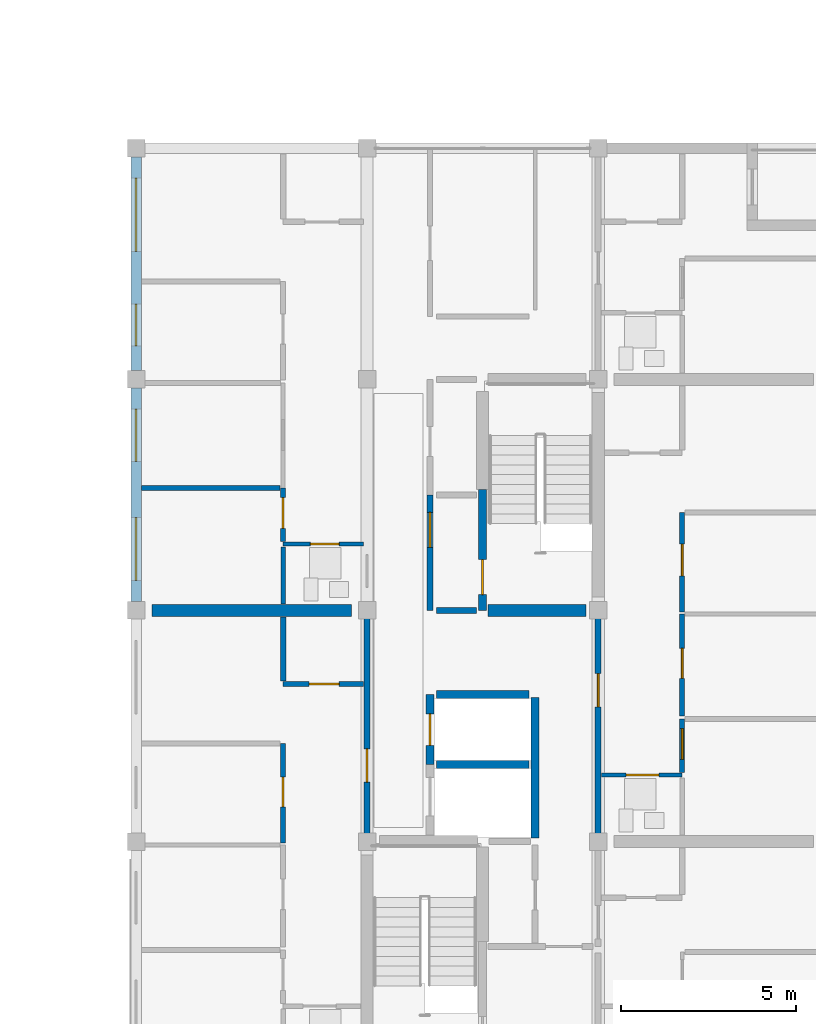
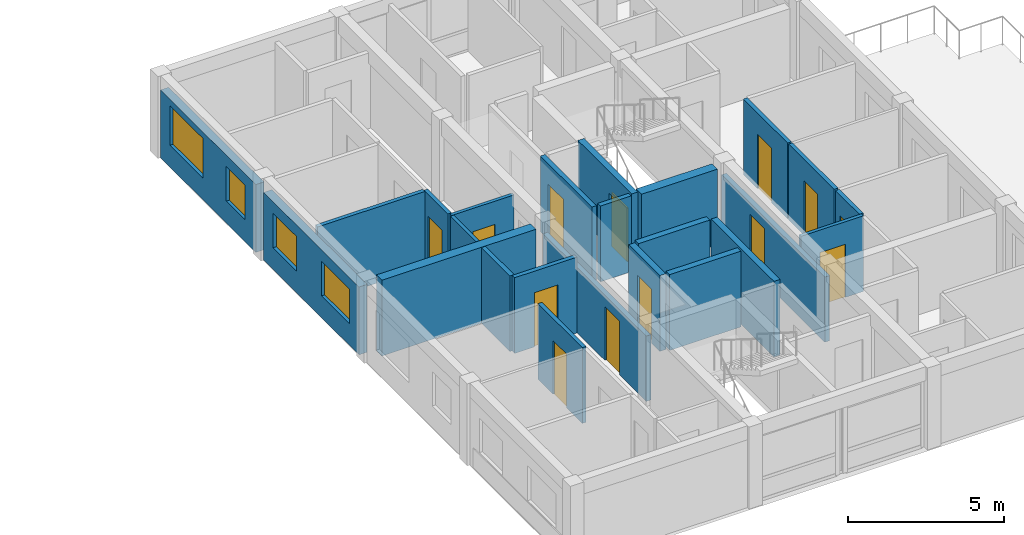
# One storey, part 31 of 51: 24 walls, 13 doors, 4 windows, 17 openings.
"""IFC4 building model written with IfcOpenShell, lengths in metres."""

from ifc_helpers import new_model, si_unit, direction, frame, frame_2d, origin, place, context, subcontext, project, spatial, rectangle, extrude, material, layer, layer_set, type_object, element, fill, save


model = new_model("IFC4")

# Units and contexts
model_context = context("Model", 3, precision=1e-05, world=origin(), true_north=direction((0.0, 1.0)))
body_context = subcontext(model_context, "Body", "Model", "MODEL_VIEW")
ifc_project = project(units=[si_unit("LENGTHUNIT", "METRE"), si_unit("AREAUNIT", "SQUARE_METRE"), si_unit("VOLUMEUNIT", "CUBIC_METRE"), si_unit("PLANEANGLEUNIT", "RADIAN"), si_unit("MASSUNIT", "GRAM", prefix="KILO")], contexts=[model_context])

# Site, building, storey
site_placement = place(None, origin())
site = spatial("IfcSite", under=ifc_project, at=site_placement, CompositionType="ELEMENT")
building_placement = place(site_placement, origin())
building = spatial("IfcBuilding", under=site, at=building_placement, Name="Kernevlak Ridge Housing Community", CompositionType="ELEMENT")
storey_placement = place(building_placement, frame((0.0, 0.0, 8.39990234375)))
storey = spatial("IfcBuildingStorey", under=building, at=storey_placement, Name="L02", CompositionType="ELEMENT", Elevation=8.39990234375)

# Wall, openings, windows
ifc_material_1 = material(Name="Concrete block masonry M10", Category="masonry")
ifc_layer_1 = layer(ifc_material_1, 0.300048828125, Name="Concrete block masonry M10")
ifc_layer_set_1 = layer_set([ifc_layer_1], Name="Concrete block masonry M10")
wall_type_1 = type_object("IfcWallType", Name="EW-01", PredefinedType="STANDARD", material=ifc_layer_set_1)
wall_1_placement = place(storey_placement, frame((126.0, 29.050048828125, 0.0), z_axis=(0.0, 0.0, 1.0), x_axis=(0.0, 1.0, 0.0)))
wall_1 = element("IfcWall", 1, at=wall_1_placement, inside=storey, type_object=wall_type_1, Name="Exterior wall EW-01 L02 560", PredefinedType="STANDARD", context=body_context, shape_type="SweptSolid", body=[
    extrude(rectangle(XDim=6.099853515625, YDim=0.300048828125, at=frame_2d((3.0498046875, 0.0))), origin(), (0.0, 0.0, 1.0), 2.650146484375),
])
opening_1_placement = place(wall_1_placement, frame((0.60009765625, 0.0, 0.85009765625)))
opening_1 = element("IfcOpeningElement", 2, at=opening_1_placement, cuts=wall_1, Name="Opening WT-03", PredefinedType="OPENING", context=body_context, shape_type="SweptSolid", body=[
    extrude(rectangle(XDim=1.800048828125, YDim=1.35009765625, at=frame_2d((0.89990234375, 0.675048828125))), frame((0.0, 0.159912109375, 0.0), z_axis=(0.0, -1.0, 0.0), x_axis=(1.0, 0.0, 0.0)), (0.0, 0.0, 1.0), 0.320068359375),
])
opening_2_placement = place(wall_1_placement, frame((4.0, 0.0, 0.85009765625)))
opening_2 = element("IfcOpeningElement", 3, at=opening_2_placement, cuts=wall_1, Name="Opening WT-02", PredefinedType="OPENING", context=body_context, shape_type="SweptSolid", body=[
    extrude(rectangle(XDim=1.5, YDim=1.35009765625, at=frame_2d((0.75, 0.675048828125))), frame((0.0, 0.159912109375, 0.0), z_axis=(0.0, -1.0, 0.0), x_axis=(1.0, 0.0, 0.0)), (0.0, 0.0, 1.0), 0.320068359375),
])
ifc_material_2 = material(Name="Aluminium EN AW-6060 anodised and laminated glass", Category="aluminium")
window_type_1 = type_object("IfcWindowType", Name="WT-02", PartitioningType="SINGLE_PANEL", PredefinedType="WINDOW", material=ifc_material_2)
window_1_placement = place(opening_2_placement, origin())
window_1 = element("IfcWindow", 4, at=window_1_placement, inside=storey, type_object=window_type_1, Name="Window WT-02 L02 448", OverallHeight=1.35009765625, OverallWidth=1.5, PartitioningType="SINGLE_PANEL", PredefinedType="WINDOW", context=body_context, shape_type="SweptSolid", body=[
    extrude(rectangle(XDim=1.5, YDim=1.35009765625, at=frame_2d((0.75, 0.675048828125))), frame((0.0, 0.030029296875, 0.0), z_axis=(0.0, -1.0, 0.0), x_axis=(1.0, 0.0, 0.0)), (0.0, 0.0, 1.0), 0.06005859375),
])
fill(opening_2, window_1)
window_type_2 = type_object("IfcWindowType", Name="WT-03", PartitioningType="SINGLE_PANEL", PredefinedType="WINDOW", material=ifc_material_2)
window_2_placement = place(opening_1_placement, origin())
window_2 = element("IfcWindow", 5, at=window_2_placement, inside=storey, type_object=window_type_2, Name="Window WT-03 L02 447", OverallHeight=1.35009765625, OverallWidth=1.800048828125, PartitioningType="SINGLE_PANEL", PredefinedType="WINDOW", context=body_context, shape_type="SweptSolid", body=[
    extrude(rectangle(XDim=1.800048828125, YDim=1.35009765625, at=frame_2d((0.89990234375, 0.675048828125))), frame((0.0, 0.030029296875, 0.0), z_axis=(0.0, -1.0, 0.0), x_axis=(1.0, 0.0, 0.0)), (0.0, 0.0, 1.0), 0.06005859375),
])
fill(opening_1, window_2)

wall_2_placement = place(storey_placement, frame((126.0, 35.64990234375, 0.0), z_axis=(0.0, 0.0, 1.0), x_axis=(0.0, 1.0, 0.0)))
wall_2 = element("IfcWall", 6, at=wall_2_placement, inside=storey, type_object=wall_type_1, Name="Exterior wall EW-01 L02 561", PredefinedType="STANDARD", context=body_context, shape_type="SweptSolid", body=[
    extrude(rectangle(XDim=6.10009765625, YDim=0.300048828125, at=frame_2d((3.050048828125, 0.0))), origin(), (0.0, 0.0, 1.0), 2.650146484375),
])
opening_3_placement = place(wall_2_placement, frame((0.699951171875, 0.0, 0.85009765625)))
opening_3 = element("IfcOpeningElement", 7, at=opening_3_placement, cuts=wall_2, Name="Opening WT-01", PredefinedType="OPENING", context=body_context, shape_type="SweptSolid", body=[
    extrude(rectangle(XDim=1.199951171875, YDim=1.35009765625, at=frame_2d((0.60009765625, 0.675048828125))), frame((0.0, 0.159912109375, 0.0), z_axis=(0.0, -1.0, 0.0), x_axis=(1.0, 0.0, 0.0)), (0.0, 0.0, 1.0), 0.320068359375),
])
opening_4_placement = place(wall_2_placement, frame((3.39990234375, 0.0, 0.85009765625)))
opening_4 = element("IfcOpeningElement", 8, at=opening_4_placement, cuts=wall_2, Name="Opening WT-05", PredefinedType="OPENING", context=body_context, shape_type="SweptSolid", body=[
    extrude(rectangle(XDim=2.10009765625, YDim=1.550048828125, at=frame_2d((1.050048828125, 0.77490234375))), frame((0.0, 0.159912109375, 0.0), z_axis=(0.0, -1.0, 0.0), x_axis=(1.0, 0.0, 0.0)), (0.0, 0.0, 1.0), 0.320068359375),
])
window_type_3 = type_object("IfcWindowType", Name="WT-01", PartitioningType="SINGLE_PANEL", PredefinedType="WINDOW", material=ifc_material_2)
window_3_placement = place(opening_3_placement, origin())
window_3 = element("IfcWindow", 9, at=window_3_placement, inside=storey, type_object=window_type_3, Name="Window WT-01 L02 449", OverallHeight=1.35009765625, OverallWidth=1.199951171875, PartitioningType="SINGLE_PANEL", PredefinedType="WINDOW", context=body_context, shape_type="SweptSolid", body=[
    extrude(rectangle(XDim=1.199951171875, YDim=1.35009765625, at=frame_2d((0.60009765625, 0.675048828125))), frame((0.0, 0.030029296875, 0.0), z_axis=(0.0, -1.0, 0.0), x_axis=(1.0, 0.0, 0.0)), (0.0, 0.0, 1.0), 0.06005859375),
])
fill(opening_3, window_3)
window_type_4 = type_object("IfcWindowType", Name="WT-05", PartitioningType="SINGLE_PANEL", PredefinedType="WINDOW", material=ifc_material_2)
window_4_placement = place(opening_4_placement, origin())
window_4 = element("IfcWindow", 10, at=window_4_placement, inside=storey, type_object=window_type_4, Name="Window WT-05 L02 450", OverallHeight=1.550048828125, OverallWidth=2.10009765625, PartitioningType="SINGLE_PANEL", PredefinedType="WINDOW", context=body_context, shape_type="SweptSolid", body=[
    extrude(rectangle(XDim=2.10009765625, YDim=1.550048828125, at=frame_2d((1.050048828125, 0.77490234375))), frame((0.0, 0.030029296875, 0.0), z_axis=(0.0, -1.0, 0.0), x_axis=(1.0, 0.0, 0.0)), (0.0, 0.0, 1.0), 0.06005859375),
])
fill(opening_4, window_4)

# Wall, opening, door
ifc_material_3 = material(Name="Concrete C35/45", Category="concrete")
ifc_layer_2 = layer(ifc_material_3, 0.22509765625, Name="Concrete C35/45")
ifc_layer_set_2 = layer_set([ifc_layer_2], Name="Concrete C35/45")
wall_type_2 = type_object("IfcWallType", Name="PW-01", PredefinedType="STANDARD", material=ifc_layer_set_2)
wall_3_placement = place(storey_placement, frame((134.39990234375, 24.39990234375, 0.0), z_axis=(0.0, 0.0, 1.0), x_axis=(0.0, 1.0, 0.0)))
wall_3 = element("IfcWall", 11, at=wall_3_placement, inside=storey, type_object=wall_type_2, Name="Interior wall PW-01 WAL-INT-L02-2234", PredefinedType="STANDARD", context=body_context, shape_type="SweptSolid", body=[
    extrude(rectangle(XDim=2.0, YDim=0.22509765625, at=frame_2d((1.0, 0.0))), origin(), (0.0, 0.0, 1.0), 2.960205078125),
])
opening_5_placement = place(wall_3_placement, frame((0.550048828125, 0.0, 0.0)))
opening_5 = element("IfcOpeningElement", 12, at=opening_5_placement, cuts=wall_3, Name="Opening LD60", PredefinedType="OPENING", context=body_context, shape_type="SweptSolid", body=[
    extrude(rectangle(XDim=0.89990234375, YDim=2.10009765625, at=frame_2d((0.449951171875, 1.050048828125))), frame((0.0, 0.12255859375, 0.0), z_axis=(0.0, -1.0, 0.0), x_axis=(1.0, 0.0, 0.0)), (0.0, 0.0, 1.0), 0.2451171875),
])
ifc_material_4 = material(Name="Stainless steel EN 1.4401", Category="steel")
door_type_1 = type_object("IfcDoorType", Name="DT-LD2", OperationType="DOUBLE_DOOR_SLIDING", PredefinedType="DOOR", material=ifc_material_4)
door_1_placement = place(opening_5_placement, origin())
door_1 = element("IfcDoor", 13, at=door_1_placement, inside=storey, type_object=door_type_1, Name="Lift LF-C2 landing door LD60", OperationType="DOUBLE_DOOR_SLIDING", OverallHeight=2.10009765625, OverallWidth=0.89990234375, PredefinedType="DOOR", context=body_context, shape_type="SweptSolid", body=[
    extrude(rectangle(XDim=0.89990234375, YDim=2.10009765625, at=frame_2d((0.449951171875, 1.050048828125))), frame((0.0, 0.02490234375, 0.0), z_axis=(0.0, -1.0, 0.0), x_axis=(1.0, 0.0, 0.0)), (0.0, 0.0, 1.0), 0.050048828125),
])
fill(opening_5, door_1)

# Walls
wall_4_placement = place(storey_placement, frame((137.39990234375, 22.297607421875, 0.0), z_axis=(0.0, 0.0, 1.0), x_axis=(0.0, 1.0, 0.0)))
element("IfcWall", 14, at=wall_4_placement, inside=storey, type_object=wall_type_2, Name="Interior wall PW-01 WAL-INT-L02-2235", PredefinedType="STANDARD", context=body_context, shape_type="SweptSolid", body=[
    extrude(rectangle(XDim=4.0224609375, YDim=0.22509765625, at=frame_2d((2.01123046875, 0.0))), origin(), (0.0, 0.0, 1.0), 2.960205078125),
])
for number, where, z_axis, x_axis, name in (
    (15, (134.580078125, 24.39990234375, 0.0), (0.0, 0.0, 1.0), (1.0, 0.0, 0.0), "Interior wall PW-01 WAL-INT-L02-2237"),
    (16, (134.580078125, 26.39990234375, 0.0), (0.0, 0.0, 1.0), (1.0, 0.0, 0.0), "Interior wall PW-01 WAL-INT-L02-2238"),
):
    element("IfcWall", number, at=place(storey_placement, frame(where, z_axis=z_axis, x_axis=x_axis)), inside=storey, type_object=wall_type_2, Name=name, PredefinedType="STANDARD", context=body_context, shape_type="SweptSolid", body=[
        extrude(rectangle(XDim=2.639892578125, YDim=0.22509765625, at=frame_2d((1.31982421875, 0.0))), origin(), (0.0, 0.0, 1.0), 2.960205078125),
    ])

# Wall, opening, door
wall_5_placement = place(storey_placement, frame((135.89990234375, 28.800048828125, 0.0), z_axis=(0.0, 0.0, 1.0), x_axis=(0.0, 1.0, 0.0)))
wall_5 = element("IfcWall", 17, at=wall_5_placement, inside=storey, type_object=wall_type_2, Name="Interior wall PW-01 WAL-INT-L02-2239", PredefinedType="STANDARD", context=body_context, shape_type="SweptSolid", body=[
    extrude(rectangle(XDim=3.449951171875, YDim=0.22509765625, at=frame_2d((1.72509765625, 0.0))), origin(), (0.0, 0.0, 1.0), 2.960205078125),
])
opening_6_placement = place(wall_5_placement, frame((0.449951171875, 0.0, 0.0)))
opening_6 = element("IfcOpeningElement", 18, at=opening_6_placement, cuts=wall_5, Name="Opening E133", PredefinedType="OPENING", context=body_context, shape_type="SweptSolid", body=[
    extrude(rectangle(XDim=1.0, YDim=2.10009765625, at=frame_2d((0.5, 1.050048828125))), frame((0.0, 0.12255859375, 0.0), z_axis=(0.0, -1.0, 0.0), x_axis=(1.0, 0.0, 0.0)), (0.0, 0.0, 1.0), 0.2451171875),
])
ifc_material_5 = material(Name="Fire-rated sheet steel leaf", Category="steel")
door_type_2 = type_object("IfcDoorType", Name="DT-05", OperationType="NOTDEFINED", PredefinedType="DOOR", material=ifc_material_5)
door_2_placement = place(opening_6_placement, origin())
door_2 = element("IfcDoor", 19, at=door_2_placement, inside=storey, type_object=door_type_2, Name="Block C Stair 2 fire door E133", OperationType="SINGLE_SWING_RIGHT", OverallHeight=2.10009765625, OverallWidth=1.0, PredefinedType="DOOR", context=body_context, shape_type="SweptSolid", body=[
    extrude(rectangle(XDim=1.0, YDim=2.10009765625, at=frame_2d((0.5, 1.050048828125))), frame((0.0, 0.02490234375, 0.0), z_axis=(0.0, -1.0, 0.0), x_axis=(1.0, 0.0, 0.0)), (0.0, 0.0, 1.0), 0.050048828125),
])
fill(opening_6, door_2)

ifc_layer_3 = layer(ifc_material_1, 0.175048828125, Name="Concrete block masonry M10")
ifc_layer_set_3 = layer_set([ifc_layer_3], Name="Concrete block masonry M10")
wall_type_3 = type_object("IfcWallType", Name="PW-02", PredefinedType="PARTITIONING", material=ifc_layer_set_3)
wall_6_placement = place(storey_placement, frame((134.39990234375, 28.800048828125, 0.0), z_axis=(0.0, 0.0, 1.0), x_axis=(0.0, 1.0, 0.0)))
wall_6 = element("IfcWall", 20, at=wall_6_placement, inside=storey, type_object=wall_type_3, Name="Interior wall PW-02 WAL-INT-L02-2240", PredefinedType="PARTITIONING", context=body_context, shape_type="SweptSolid", body=[
    extrude(rectangle(XDim=3.300048828125, YDim=0.175048828125, at=frame_2d((1.64990234375, 0.0))), origin(), (0.0, 0.0, 1.0), 2.960205078125),
])
opening_7_placement = place(wall_6_placement, frame((1.800048828125, 0.0, 0.0)))
opening_7 = element("IfcOpeningElement", 21, at=opening_7_placement, cuts=wall_6, Name="Opening E134", PredefinedType="OPENING", context=body_context, shape_type="SweptSolid", body=[
    extrude(rectangle(XDim=1.0, YDim=2.159912109375, at=frame_2d((0.5, 1.080078125))), frame((0.0, 0.097412109375, 0.0), z_axis=(0.0, -1.0, 0.0), x_axis=(1.0, 0.0, 0.0)), (0.0, 0.0, 1.0), 0.195068359375),
])
door_type_3 = type_object("IfcDoorType", Name="DT-15", OperationType="NOTDEFINED", PredefinedType="DOOR", material=ifc_material_5)
door_3_placement = place(opening_7_placement, origin())
door_3 = element("IfcDoor", 22, at=door_3_placement, inside=storey, type_object=door_type_3, Name="Block C Firefighting lobby 2 door E134", OperationType="SINGLE_SWING_LEFT", OverallHeight=2.159912109375, OverallWidth=1.0, PredefinedType="DOOR", context=body_context, shape_type="SweptSolid", body=[
    extrude(rectangle(XDim=1.0, YDim=2.159912109375, at=frame_2d((0.5, 1.080078125))), frame((0.0, 0.02490234375, 0.0), z_axis=(0.0, -1.0, 0.0), x_axis=(1.0, 0.0, 0.0)), (0.0, 0.0, 1.0), 0.050048828125),
])
fill(opening_7, door_3)

# Wall
wall_7_placement = place(storey_placement, frame((134.580078125, 28.800048828125, 0.0), z_axis=(0.0, 0.0, 1.0), x_axis=(1.0, 0.0, 0.0)))
element("IfcWall", 23, at=wall_7_placement, inside=storey, type_object=wall_type_3, Name="Interior wall PW-02 WAL-INT-L02-2242", PredefinedType="PARTITIONING", context=body_context, shape_type="SweptSolid", body=[
    extrude(rectangle(XDim=1.139892578125, YDim=0.175048828125, at=frame_2d((0.56982421875, 0.0))), origin(), (0.0, 0.0, 1.0), 2.960205078125),
])

# Wall, opening, door
wall_8_placement = place(storey_placement, frame((132.60009765625, 22.199951171875, 0.0), z_axis=(0.0, 0.0, 1.0), x_axis=(0.0, 1.0, 0.0)))
wall_8 = element("IfcWall", 24, at=wall_8_placement, inside=storey, type_object=wall_type_3, Name="Interior wall PW-02 WAL-INT-L02-2248", PredefinedType="PARTITIONING", context=body_context, shape_type="SweptSolid", body=[
    extrude(rectangle(XDim=6.60009765625, YDim=0.175048828125, at=frame_2d((3.300048828125, 0.0))), origin(), (0.0, 0.0, 1.0), 2.550048828125),
])
opening_8_placement = place(wall_8_placement, frame((1.699951171875, 0.0, 0.0)))
opening_8 = element("IfcOpeningElement", 25, at=opening_8_placement, cuts=wall_8, Name="Opening E137", PredefinedType="OPENING", context=body_context, shape_type="SweptSolid", body=[
    extrude(rectangle(XDim=0.949951171875, YDim=2.10009765625, at=frame_2d((0.47509765625, 1.050048828125))), frame((0.0, 0.097412109375, 0.0), z_axis=(0.0, -1.0, 0.0), x_axis=(1.0, 0.0, 0.0)), (0.0, 0.0, 1.0), 0.195068359375),
])
ifc_material_6 = material(Name="Hardwood timber solid-core fire leaf", Category="wood")
door_type_4 = type_object("IfcDoorType", Name="DT-01", OperationType="NOTDEFINED", PredefinedType="DOOR", material=ifc_material_6)
door_4_placement = place(opening_8_placement, origin())
door_4 = element("IfcDoor", 26, at=door_4_placement, inside=storey, type_object=door_type_4, Name="Flat C0211 entrance fire door E137", OperationType="SINGLE_SWING_RIGHT", OverallHeight=2.10009765625, OverallWidth=0.949951171875, PredefinedType="DOOR", context=body_context, shape_type="SweptSolid", body=[
    extrude(rectangle(XDim=0.949951171875, YDim=2.10009765625, at=frame_2d((0.47509765625, 1.050048828125))), frame((0.0, 0.02490234375, 0.0), z_axis=(0.0, -1.0, 0.0), x_axis=(1.0, 0.0, 0.0)), (0.0, 0.0, 1.0), 0.050048828125),
])
fill(opening_8, door_4)

wall_9_placement = place(storey_placement, frame((139.199951171875, 22.199951171875, 0.0), z_axis=(0.0, 0.0, 1.0), x_axis=(0.0, 1.0, 0.0)))
wall_9 = element("IfcWall", 27, at=wall_9_placement, inside=storey, type_object=wall_type_3, Name="Interior wall PW-02 WAL-INT-L02-2278", PredefinedType="PARTITIONING", context=body_context, shape_type="SweptSolid", body=[
    extrude(rectangle(XDim=6.60009765625, YDim=0.175048828125, at=frame_2d((3.300048828125, 0.0))), origin(), (0.0, 0.0, 1.0), 2.550048828125),
])
opening_9_placement = place(wall_9_placement, frame((3.85009765625, 0.0, 0.0)))
opening_9 = element("IfcOpeningElement", 28, at=opening_9_placement, cuts=wall_9, Name="Opening E153", PredefinedType="OPENING", context=body_context, shape_type="SweptSolid", body=[
    extrude(rectangle(XDim=0.949951171875, YDim=2.10009765625, at=frame_2d((0.47509765625, 1.050048828125))), frame((0.0, 0.097412109375, 0.0), z_axis=(0.0, -1.0, 0.0), x_axis=(1.0, 0.0, 0.0)), (0.0, 0.0, 1.0), 0.195068359375),
])
door_5_placement = place(opening_9_placement, origin())
door_5 = element("IfcDoor", 29, at=door_5_placement, inside=storey, type_object=door_type_4, Name="Flat C0222 entrance fire door E153", OperationType="SINGLE_SWING_RIGHT", OverallHeight=2.10009765625, OverallWidth=0.949951171875, PredefinedType="DOOR", context=body_context, shape_type="SweptSolid", body=[
    extrude(rectangle(XDim=0.949951171875, YDim=2.10009765625, at=frame_2d((0.47509765625, 1.050048828125))), frame((0.0, 0.02490234375, 0.0), z_axis=(0.0, -1.0, 0.0), x_axis=(1.0, 0.0, 0.0)), (0.0, 0.0, 1.0), 0.050048828125),
])
fill(opening_9, door_5)

ifc_layer_4 = layer(ifc_material_1, 0.14501953125, Name="Concrete block masonry M10")
ifc_layer_set_4 = layer_set([ifc_layer_4], Name="Concrete block masonry M10")
wall_type_4 = type_object("IfcWallType", Name="PW-03", PredefinedType="PARTITIONING", material=ifc_layer_set_4)
wall_10_placement = place(storey_placement, frame((130.199951171875, 22.16259765625, 0.0), z_axis=(0.0, 0.0, 1.0), x_axis=(0.0, 1.0, 0.0)))
wall_10 = element("IfcWall", 30, at=wall_10_placement, inside=storey, type_object=wall_type_4, Name="Interior wall PW-03 WAL-INT-L02-2257", PredefinedType="PARTITIONING", context=body_context, shape_type="SweptSolid", body=[
    extrude(rectangle(XDim=2.83740234375, YDim=0.14501953125, at=frame_2d((1.418701171875, 0.0))), origin(), (0.0, 0.0, 1.0), 2.960205078125),
])
opening_10_placement = place(wall_10_placement, frame((1.02490234375, 0.0, 0.0)))
opening_10 = element("IfcOpeningElement", 31, at=opening_10_placement, cuts=wall_10, Name="Opening E142", PredefinedType="OPENING", context=body_context, shape_type="SweptSolid", body=[
    extrude(rectangle(XDim=0.85009765625, YDim=2.10009765625, at=frame_2d((0.425048828125, 1.050048828125))), frame((0.0, 0.08251953125, 0.0), z_axis=(0.0, -1.0, 0.0), x_axis=(1.0, 0.0, 0.0)), (0.0, 0.0, 1.0), 0.1650390625),
])
ifc_material_7 = material(Name="Hardwood timber leaf", Category="wood")
door_type_5 = type_object("IfcDoorType", Name="DT-03", OperationType="NOTDEFINED", PredefinedType="DOOR", material=ifc_material_7)
door_6_placement = place(opening_10_placement, origin())
door_6 = element("IfcDoor", 32, at=door_6_placement, inside=storey, type_object=door_type_5, Name="Flat C0211 bedroom door E142", OperationType="SINGLE_SWING_LEFT", OverallHeight=2.10009765625, OverallWidth=0.85009765625, PredefinedType="DOOR", context=body_context, shape_type="SweptSolid", body=[
    extrude(rectangle(XDim=0.85009765625, YDim=2.10009765625, at=frame_2d((0.425048828125, 1.050048828125))), frame((0.0, 0.02490234375, 0.0), z_axis=(0.0, -1.0, 0.0), x_axis=(1.0, 0.0, 0.0)), (0.0, 0.0, 1.0), 0.050048828125),
])
fill(opening_10, door_6)

wall_11_placement = place(storey_placement, frame((130.199951171875, 30.7724609375, 0.0), z_axis=(0.0, 0.0, 1.0), x_axis=(0.0, 1.0, 0.0)))
wall_11 = element("IfcWall", 33, at=wall_11_placement, inside=storey, type_object=wall_type_4, Name="Interior wall PW-03 WAL-INT-L02-2264", PredefinedType="PARTITIONING", context=body_context, shape_type="SweptSolid", body=[
    extrude(rectangle(XDim=1.527587890625, YDim=0.14501953125, at=frame_2d((0.763671875, 0.0))), origin(), (0.0, 0.0, 1.0), 2.960205078125),
])
opening_11_placement = place(wall_11_placement, frame((0.375, 0.0, 0.0)))
opening_11 = element("IfcOpeningElement", 34, at=opening_11_placement, cuts=wall_11, Name="Opening E146", PredefinedType="OPENING", context=body_context, shape_type="SweptSolid", body=[
    extrude(rectangle(XDim=0.8798828125, YDim=2.10009765625, at=frame_2d((0.43994140625, 1.050048828125))), frame((0.0, 0.08251953125, 0.0), z_axis=(0.0, -1.0, 0.0), x_axis=(1.0, 0.0, 0.0)), (0.0, 0.0, 1.0), 0.1650390625),
])
door_type_6 = type_object("IfcDoorType", Name="DT-25", OperationType="NOTDEFINED", PredefinedType="DOOR", material=ifc_material_7)
door_7_placement = place(opening_11_placement, origin())
door_7 = element("IfcDoor", 35, at=door_7_placement, inside=storey, type_object=door_type_6, Name="Flat C0212 bedroom door E146", OperationType="SINGLE_SWING_LEFT", OverallHeight=2.10009765625, OverallWidth=0.8798828125, PredefinedType="DOOR", context=body_context, shape_type="SweptSolid", body=[
    extrude(rectangle(XDim=0.8798828125, YDim=2.10009765625, at=frame_2d((0.43994140625, 1.050048828125))), frame((0.0, 0.02490234375, 0.0), z_axis=(0.0, -1.0, 0.0), x_axis=(1.0, 0.0, 0.0)), (0.0, 0.0, 1.0), 0.050048828125),
])
fill(opening_11, door_7)

# Wall
wall_12_placement = place(storey_placement, frame((130.117431640625, 32.300048828125, 0.0), z_axis=(0.0, 0.0, 1.0), x_axis=(-1.0, 0.0, 0.0)))
element("IfcWall", 36, at=wall_12_placement, inside=storey, type_object=wall_type_4, Name="Interior wall PW-03 WAL-INT-L02-2265", PredefinedType="PARTITIONING", context=body_context, shape_type="SweptSolid", body=[
    extrude(rectangle(XDim=3.95751953125, YDim=0.14501953125, at=frame_2d((1.978759765625, 0.0))), origin(), (0.0, 0.0, 1.0), 2.960205078125),
])

# Wall, opening, door
wall_13_placement = place(storey_placement, frame((141.60009765625, 24.172607421875, 0.0), z_axis=(0.0, 0.0, 1.0), x_axis=(0.0, 1.0, 0.0)))
wall_13 = element("IfcWall", 37, at=wall_13_placement, inside=storey, type_object=wall_type_4, Name="Interior wall PW-03 WAL-INT-L02-2283", PredefinedType="PARTITIONING", context=body_context, shape_type="SweptSolid", body=[
    extrude(rectangle(XDim=1.52734375, YDim=0.14501953125, at=frame_2d((0.763671875, 0.0))), origin(), (0.0, 0.0, 1.0), 2.960205078125),
])
opening_12_placement = place(wall_13_placement, frame((0.375, 0.0, 0.0)))
opening_12 = element("IfcOpeningElement", 38, at=opening_12_placement, cuts=wall_13, Name="Opening E156", PredefinedType="OPENING", context=body_context, shape_type="SweptSolid", body=[
    extrude(rectangle(XDim=0.8798828125, YDim=2.159912109375, at=frame_2d((0.43994140625, 1.080078125))), frame((0.0, 0.08251953125, 0.0), z_axis=(0.0, -1.0, 0.0), x_axis=(1.0, 0.0, 0.0)), (0.0, 0.0, 1.0), 0.1650390625),
])
door_type_7 = type_object("IfcDoorType", Name="DT-26", OperationType="NOTDEFINED", PredefinedType="DOOR", material=ifc_material_7)
door_8_placement = place(opening_12_placement, origin())
door_8 = element("IfcDoor", 39, at=door_8_placement, inside=storey, type_object=door_type_7, Name="Flat C0222 bedroom door E156", OperationType="SINGLE_SWING_LEFT", OverallHeight=2.159912109375, OverallWidth=0.8798828125, PredefinedType="DOOR", context=body_context, shape_type="SweptSolid", body=[
    extrude(rectangle(XDim=0.8798828125, YDim=2.159912109375, at=frame_2d((0.43994140625, 1.080078125))), frame((0.0, 0.02490234375, 0.0), z_axis=(0.0, -1.0, 0.0), x_axis=(1.0, 0.0, 0.0)), (0.0, 0.0, 1.0), 0.050048828125),
])
fill(opening_12, door_8)

wall_14_placement = place(storey_placement, frame((141.60009765625, 25.782470703125, 0.0), z_axis=(0.0, 0.0, 1.0), x_axis=(0.0, 1.0, 0.0)))
wall_14 = element("IfcWall", 40, at=wall_14_placement, inside=storey, type_object=wall_type_4, Name="Interior wall PW-03 WAL-INT-L02-2285", PredefinedType="PARTITIONING", context=body_context, shape_type="SweptSolid", body=[
    extrude(rectangle(XDim=2.91748046875, YDim=0.14501953125, at=frame_2d((1.458740234375, 0.0))), origin(), (0.0, 0.0, 1.0), 2.960205078125),
])
opening_13_placement = place(wall_14_placement, frame((1.074951171875, 0.0, 0.0)))
opening_13 = element("IfcOpeningElement", 41, at=opening_13_placement, cuts=wall_14, Name="Opening E157", PredefinedType="OPENING", context=body_context, shape_type="SweptSolid", body=[
    extrude(rectangle(XDim=0.860107421875, YDim=2.1201171875, at=frame_2d((0.43017578125, 1.06005859375))), frame((0.0, 0.08251953125, 0.0), z_axis=(0.0, -1.0, 0.0), x_axis=(1.0, 0.0, 0.0)), (0.0, 0.0, 1.0), 0.1650390625),
])
door_type_8 = type_object("IfcDoorType", Name="DT-28", OperationType="NOTDEFINED", PredefinedType="DOOR", material=ifc_material_7)
door_9_placement = place(opening_13_placement, origin())
door_9 = element("IfcDoor", 42, at=door_9_placement, inside=storey, type_object=door_type_8, Name="Flat C0222 bedroom door E157", OperationType="SINGLE_SWING_RIGHT", OverallHeight=2.1201171875, OverallWidth=0.860107421875, PredefinedType="DOOR", context=body_context, shape_type="SweptSolid", body=[
    extrude(rectangle(XDim=0.860107421875, YDim=2.1201171875, at=frame_2d((0.43017578125, 1.06005859375))), frame((0.0, 0.02490234375, 0.0), z_axis=(0.0, -1.0, 0.0), x_axis=(1.0, 0.0, 0.0)), (0.0, 0.0, 1.0), 0.050048828125),
])
fill(opening_13, door_9)

wall_15_placement = place(storey_placement, frame((141.60009765625, 28.762451171875, 0.0), z_axis=(0.0, 0.0, 1.0), x_axis=(0.0, 1.0, 0.0)))
wall_15 = element("IfcWall", 43, at=wall_15_placement, inside=storey, type_object=wall_type_4, Name="Interior wall PW-03 WAL-INT-L02-2287", PredefinedType="PARTITIONING", context=body_context, shape_type="SweptSolid", body=[
    extrude(rectangle(XDim=2.837646484375, YDim=0.14501953125, at=frame_2d((1.4189453125, 0.0))), origin(), (0.0, 0.0, 1.0), 2.960205078125),
])
opening_14_placement = place(wall_15_placement, frame((1.02490234375, 0.0, 0.0)))
opening_14 = element("IfcOpeningElement", 44, at=opening_14_placement, cuts=wall_15, Name="Opening E158", PredefinedType="OPENING", context=body_context, shape_type="SweptSolid", body=[
    extrude(rectangle(XDim=0.909912109375, YDim=2.139892578125, at=frame_2d((0.455078125, 1.06982421875))), frame((0.0, 0.08251953125, 0.0), z_axis=(0.0, -1.0, 0.0), x_axis=(1.0, 0.0, 0.0)), (0.0, 0.0, 1.0), 0.1650390625),
])
door_type_9 = type_object("IfcDoorType", Name="DT-31", OperationType="NOTDEFINED", PredefinedType="DOOR", material=ifc_material_7)
door_10_placement = place(opening_14_placement, origin())
door_10 = element("IfcDoor", 45, at=door_10_placement, inside=storey, type_object=door_type_9, Name="Flat C0222 bedroom door E158", OperationType="SINGLE_SWING_LEFT", OverallHeight=2.139892578125, OverallWidth=0.909912109375, PredefinedType="DOOR", context=body_context, shape_type="SweptSolid", body=[
    extrude(rectangle(XDim=0.909912109375, YDim=2.139892578125, at=frame_2d((0.455078125, 1.06982421875))), frame((0.0, 0.02490234375, 0.0), z_axis=(0.0, -1.0, 0.0), x_axis=(1.0, 0.0, 0.0)), (0.0, 0.0, 1.0), 0.050048828125),
])
fill(opening_14, door_10)

ifc_material_8 = material(Name="Gypsum plasterboard EN 520", Category="gypsum")
ifc_layer_5 = layer(ifc_material_8, 0.125, Name="Gypsum plasterboard EN 520")
ifc_layer_set_5 = layer_set([ifc_layer_5], Name="Gypsum plasterboard EN 520")
wall_type_5 = type_object("IfcWallType", Name="PW-04", PredefinedType="PARTITIONING", material=ifc_layer_set_5)
wall_16_placement = place(storey_placement, frame((132.50244140625, 30.699951171875, 0.0), z_axis=(0.0, 0.0, 1.0), x_axis=(-1.0, 0.0, 0.0)))
wall_16 = element("IfcWall", 46, at=wall_16_placement, inside=storey, type_object=wall_type_5, Name="Interior wall PW-04 WAL-INT-L02-2260", PredefinedType="PARTITIONING", context=body_context, shape_type="SweptSolid", body=[
    extrude(rectangle(XDim=2.302490234375, YDim=0.125, at=frame_2d((1.1513671875, 0.0))), origin(), (0.0, 0.0, 1.0), 2.960205078125),
])
opening_15_placement = place(wall_16_placement, frame((0.699951171875, 0.0, 0.0)))
opening_15 = element("IfcOpeningElement", 47, at=opening_15_placement, cuts=wall_16, Name="Opening E144", PredefinedType="OPENING", context=body_context, shape_type="SweptSolid", body=[
    extrude(rectangle(XDim=0.820068359375, YDim=2.050048828125, at=frame_2d((0.41015625, 1.02490234375))), frame((0.0, 0.072509765625, 0.0), z_axis=(0.0, -1.0, 0.0), x_axis=(1.0, 0.0, 0.0)), (0.0, 0.0, 1.0), 0.14501953125),
])
ifc_material_9 = material(Name="Hardwood timber moisture-resistant leaf", Category="wood")
door_type_10 = type_object("IfcDoorType", Name="DT-30", OperationType="NOTDEFINED", PredefinedType="DOOR", material=ifc_material_9)
door_11_placement = place(opening_15_placement, origin())
door_11 = element("IfcDoor", 48, at=door_11_placement, inside=storey, type_object=door_type_10, Name="Flat C0212 bathroom door E144", OperationType="SINGLE_SWING_LEFT", OverallHeight=2.050048828125, OverallWidth=0.820068359375, PredefinedType="DOOR", context=body_context, shape_type="SweptSolid", body=[
    extrude(rectangle(XDim=0.820068359375, YDim=2.050048828125, at=frame_2d((0.41015625, 1.02490234375))), frame((0.0, 0.02490234375, 0.0), z_axis=(0.0, -1.0, 0.0), x_axis=(1.0, 0.0, 0.0)), (0.0, 0.0, 1.0), 0.050048828125),
])
fill(opening_15, door_11)

# Wall
wall_17_placement = place(storey_placement, frame((130.199951171875, 28.985107421875, 0.0), z_axis=(0.0, 0.0, 1.0), x_axis=(0.0, 1.0, 0.0)))
element("IfcWall", 49, at=wall_17_placement, inside=storey, type_object=wall_type_5, Name="Interior wall PW-04 WAL-INT-L02-2261", PredefinedType="PARTITIONING", context=body_context, shape_type="SweptSolid", body=[
    extrude(rectangle(XDim=1.635009765625, YDim=0.125, at=frame_2d((0.8173828125, 0.0))), origin(), (0.0, 0.0, 1.0), 2.960205078125),
])

# Wall, opening, door
wall_18_placement = place(storey_placement, frame((139.297607421875, 24.10009765625, 0.0), z_axis=(0.0, 0.0, 1.0), x_axis=(1.0, 0.0, 0.0)))
wall_18 = element("IfcWall", 50, at=wall_18_placement, inside=storey, type_object=wall_type_5, Name="Interior wall PW-04 WAL-INT-L02-2279", PredefinedType="PARTITIONING", context=body_context, shape_type="SweptSolid", body=[
    extrude(rectangle(XDim=2.302490234375, YDim=0.125, at=frame_2d((1.1513671875, 0.0))), origin(), (0.0, 0.0, 1.0), 2.960205078125),
])
opening_16_placement = place(wall_18_placement, frame((0.699951171875, 0.0, 0.0)))
opening_16 = element("IfcOpeningElement", 51, at=opening_16_placement, cuts=wall_18, Name="Opening E154", PredefinedType="OPENING", context=body_context, shape_type="SweptSolid", body=[
    extrude(rectangle(XDim=0.93994140625, YDim=2.080078125, at=frame_2d((0.469970703125, 1.0400390625))), frame((0.0, 0.072509765625, 0.0), z_axis=(0.0, -1.0, 0.0), x_axis=(1.0, 0.0, 0.0)), (0.0, 0.0, 1.0), 0.14501953125),
])
door_type_11 = type_object("IfcDoorType", Name="DT-23", OperationType="NOTDEFINED", PredefinedType="DOOR", material=ifc_material_9)
door_12_placement = place(opening_16_placement, origin())
door_12 = element("IfcDoor", 52, at=door_12_placement, inside=storey, type_object=door_type_11, Name="Flat C0222 bathroom door E154", OperationType="SINGLE_SWING_LEFT", OverallHeight=2.080078125, OverallWidth=0.93994140625, PredefinedType="DOOR", context=body_context, shape_type="SweptSolid", body=[
    extrude(rectangle(XDim=0.93994140625, YDim=2.080078125, at=frame_2d((0.469970703125, 1.0400390625))), frame((0.0, 0.02490234375, 0.0), z_axis=(0.0, -1.0, 0.0), x_axis=(1.0, 0.0, 0.0)), (0.0, 0.0, 1.0), 0.050048828125),
])
fill(opening_16, door_12)

ifc_layer_6 = layer(ifc_material_8, 0.155029296875, Name="Gypsum plasterboard EN 520")
ifc_layer_set_6 = layer_set([ifc_layer_6], Name="Gypsum plasterboard EN 520")
wall_type_6 = type_object("IfcWallType", Name="PW-05", PredefinedType="PARTITIONING", material=ifc_layer_set_6)
wall_19_placement = place(storey_placement, frame((132.50244140625, 26.699951171875, 0.0), z_axis=(0.0, 0.0, 1.0), x_axis=(-1.0, 0.0, 0.0)))
wall_19 = element("IfcWall", 53, at=wall_19_placement, inside=storey, type_object=wall_type_6, Name="Interior wall PW-05 WAL-INT-L02-2251", PredefinedType="PARTITIONING", context=body_context, shape_type="SweptSolid", body=[
    extrude(rectangle(XDim=2.302490234375, YDim=0.155029296875, at=frame_2d((1.1513671875, 0.0))), origin(), (0.0, 0.0, 1.0), 2.960205078125),
])
opening_17_placement = place(wall_19_placement, frame((0.699951171875, 0.0, 0.0)))
opening_17 = element("IfcOpeningElement", 54, at=opening_17_placement, cuts=wall_19, Name="Opening E139", PredefinedType="OPENING", context=body_context, shape_type="SweptSolid", body=[
    extrude(rectangle(XDim=0.860107421875, YDim=2.1201171875, at=frame_2d((0.43017578125, 1.06005859375))), frame((0.0, 0.08740234375, 0.0), z_axis=(0.0, -1.0, 0.0), x_axis=(1.0, 0.0, 0.0)), (0.0, 0.0, 1.0), 0.175048828125),
])
door_13_placement = place(opening_17_placement, origin())
door_13 = element("IfcDoor", 55, at=door_13_placement, inside=storey, type_object=door_type_8, Name="Flat C0211 kitchen door E139", OperationType="SINGLE_SWING_RIGHT", OverallHeight=2.1201171875, OverallWidth=0.860107421875, PredefinedType="DOOR", context=body_context, shape_type="SweptSolid", body=[
    extrude(rectangle(XDim=0.860107421875, YDim=2.1201171875, at=frame_2d((0.43017578125, 1.06005859375))), frame((0.0, 0.02490234375, 0.0), z_axis=(0.0, -1.0, 0.0), x_axis=(1.0, 0.0, 0.0)), (0.0, 0.0, 1.0), 0.050048828125),
])
fill(opening_17, door_13)

# Walls
wall_20_placement = place(storey_placement, frame((130.199951171875, 26.78759765625, 0.0), z_axis=(0.0, 0.0, 1.0), x_axis=(0.0, 1.0, 0.0)))
element("IfcWall", 56, at=wall_20_placement, inside=storey, type_object=wall_type_6, Name="Interior wall PW-05 WAL-INT-L02-2252", PredefinedType="PARTITIONING", context=body_context, shape_type="SweptSolid", body=[
    extrude(rectangle(XDim=1.827392578125, YDim=0.155029296875, at=frame_2d((0.91357421875, 0.0))), origin(), (0.0, 0.0, 1.0), 2.960205078125),
])
ifc_material_10 = material(Name="Concrete C40/50", Category="concrete")
ifc_layer_7 = layer(ifc_material_10, 0.35009765625, Name="Concrete C40/50")
ifc_layer_set_7 = layer_set([ifc_layer_7], Name="Concrete C40/50")
wall_type_7 = type_object("IfcWallType", Name="SW-01", PredefinedType="SHEAR", material=ifc_layer_set_7)
wall_21_placement = place(storey_placement, frame((136.050048828125, 28.800048828125, 0.0), z_axis=(0.0, 0.0, 1.0), x_axis=(1.0, 0.0, 0.0)))
element("IfcWall", 57, at=wall_21_placement, inside=storey, type_object=wall_type_7, Name="Shear wall SW-01 Block C L02 396", PredefinedType="SHEAR", context=body_context, shape_type="SweptSolid", body=[
    extrude(rectangle(XDim=2.800048828125, YDim=0.35009765625, at=frame_2d((1.39990234375, 0.0))), origin(), (0.0, 0.0, 1.0), 2.960205078125),
])
wall_22_placement = place(storey_placement, frame((126.449951171875, 28.800048828125, 0.0), z_axis=(0.0, 0.0, 1.0), x_axis=(1.0, 0.0, 0.0)))
element("IfcWall", 58, at=wall_22_placement, inside=storey, type_object=wall_type_7, Name="Shear wall SW-01 Block C L02 398", PredefinedType="SHEAR", context=body_context, shape_type="SweptSolid", body=[
    extrude(rectangle(XDim=5.699951171875, YDim=0.35009765625, at=frame_2d((2.85009765625, 0.0))), origin(), (0.0, 0.0, 1.0), 2.960205078125),
])

save(model, "model.ifc")
